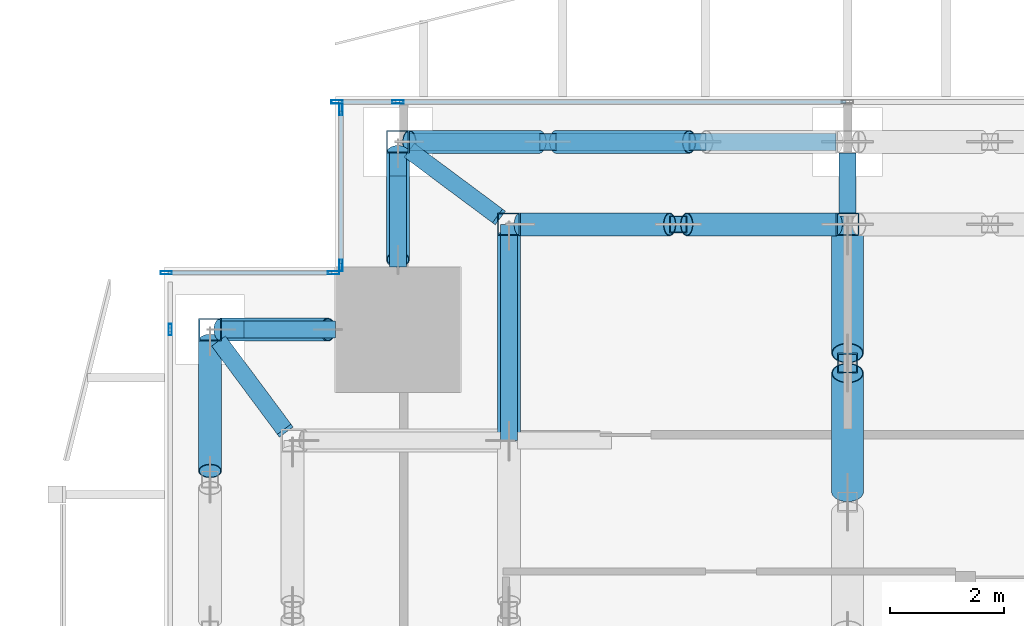
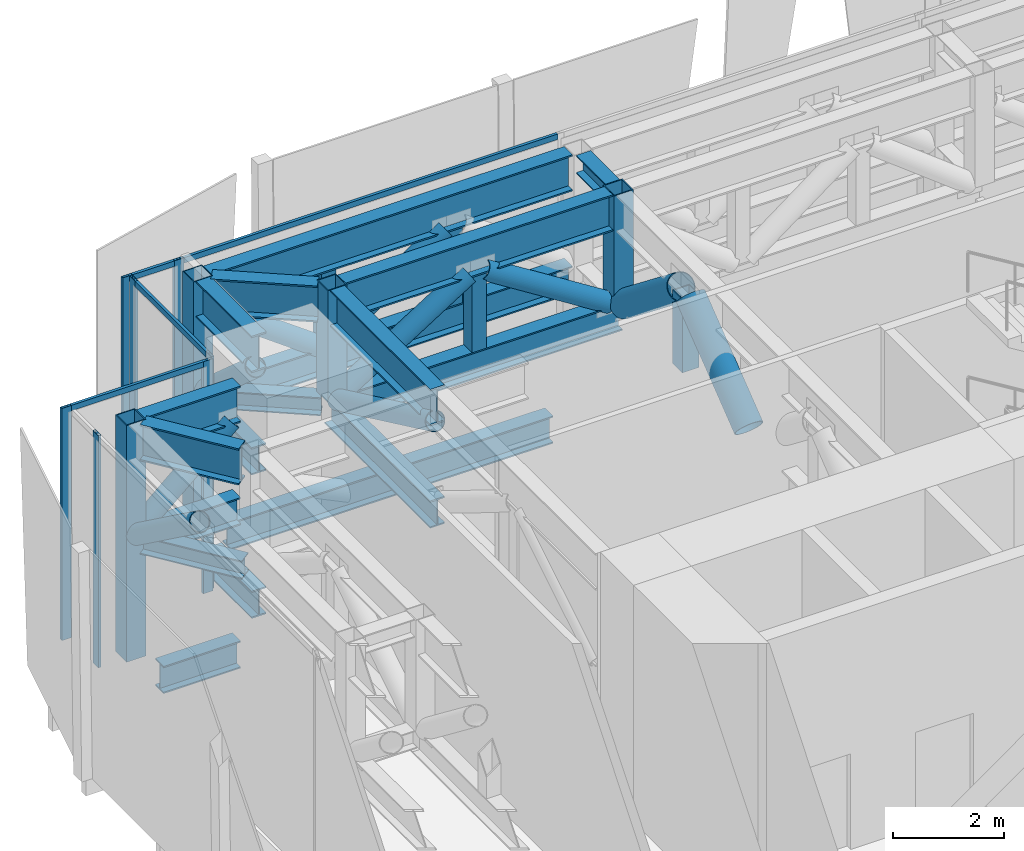
# One storey, part 19 of 39: 39 members, 8 beams, 4 elements without a shape of their own.
"""IFC4 building model written with IfcOpenShell, lengths in metres."""

from ifc_helpers import new_model, si_unit, direction, frame, origin, origin_2d, place, context, subcontext, project, spatial, hollow_rectangle, hollow_circle, i_section, extrude, source, transform, mapped, material, material_profile, profile_set, type_object, element, aggregate, save


model = new_model("IFC4")

# Units and contexts
model_context = context("Model", 3, precision=1e-05, world=origin(), true_north=direction((0.0, 1.0)))
body_context = subcontext(model_context, "Body", "Model", "MODEL_VIEW")
ifc_project = project(units=[si_unit("LENGTHUNIT", "METRE"), si_unit("AREAUNIT", "SQUARE_METRE"), si_unit("VOLUMEUNIT", "CUBIC_METRE"), si_unit("PLANEANGLEUNIT", "RADIAN"), si_unit("MASSUNIT", "GRAM", prefix="KILO")], contexts=[model_context])

# Site, building, storey
site_placement = place(None, origin())
site = spatial("IfcSite", under=ifc_project, at=site_placement, CompositionType="ELEMENT")
building_placement = place(site_placement, origin())
building = spatial("IfcBuilding", under=site, at=building_placement, Name="Khomas Fold Tower", CompositionType="ELEMENT")
storey_placement = place(building_placement, frame((0.0, 0.0, 96.0)))
storey = spatial("IfcBuildingStorey", under=building, at=storey_placement, Name="L20", CompositionType="ELEMENT", Elevation=96.0)

# Beams
ifc_material_1 = material(Name="Steel S355", Category="steel")
ifc_material_profile_1 = material_profile(ifc_material_1, i_section(OverallWidth=0.300048828125, OverallDepth=0.60009765625, WebThickness=0.015380859375, FlangeThickness=0.030029296875, at=origin_2d()), Name="HE 600 B")
ifc_profile_set_1 = profile_set([ifc_material_profile_1], Name="Steel S355")
beam_type_1 = type_object("IfcBeamType", Name="HE 600 B spandrel SB1", PredefinedType="SPANDREL", material=ifc_profile_set_1)
shared_shape_1 = source(origin(), body_context, "Body", "SweptSolid", [
    extrude(i_section(OverallWidth=0.300048828125, OverallDepth=0.60009765625, WebThickness=0.015380859375, FlangeThickness=0.030029296875, at=origin_2d()), origin(), (0.0, 0.0, 1.0), 6.699951171875),
])
beam_1_placement = place(storey_placement, frame((4.699951171875, 53.199951171875, -0.699951171875), z_axis=(1.0, 0.0, 0.0), x_axis=(0.0, 1.0, 0.0)))
element("IfcBeam", 1, at=beam_1_placement, inside=storey, type_object=beam_type_1, Name="SB1", PredefinedType="SPANDREL", context=body_context, shape_type="MappedRepresentation", body=[
    mapped(shared_shape_1, transform((0.0, 0.0, 0.0))),
])
shared_shape_2 = source(origin(), body_context, "Body", "SweptSolid", [
    extrude(i_section(OverallWidth=0.300048828125, OverallDepth=0.60009765625, WebThickness=0.015380859375, FlangeThickness=0.030029296875, at=origin_2d()), origin(), (0.0, 0.0, 1.0), 1.60009765625),
])
for number, where, z_axis, x_axis, name in (
    (2, (4.10009765625, 51.0, -0.699951171875), (0.0, 1.0, 0.0), (-1.0, 0.0, 0.0), "SB1"),
    (3, (1.39990234375, 49.89990234375, -0.699951171875), (1.0, 0.0, 0.0), (0.0, 1.0, 0.0), "SB1"),
):
    element("IfcBeam", number, at=place(storey_placement, frame(where, z_axis=z_axis, x_axis=x_axis)), inside=storey, type_object=beam_type_1, Name=name, PredefinedType="SPANDREL", context=body_context, shape_type="MappedRepresentation", body=[
        mapped(shared_shape_2, transform((0.0, 0.0, 0.0))),
    ])

# Members
ifc_material_2 = material(Name="Steel S460M", Category="steel")
ifc_material_profile_2 = material_profile(ifc_material_2, i_section(OverallWidth=0.300048828125, OverallDepth=0.800048828125, WebThickness=0.017578125, FlangeThickness=0.032958984375, at=origin_2d()), Name="HE 800 B")
ifc_profile_set_2 = profile_set([ifc_material_profile_2], Name="Steel S460M")
member_type_1 = type_object("IfcMemberType", Name="BELT TRUSS 1 TOP CHORD HE 800 B", PredefinedType="CHORD", material=ifc_profile_set_2)
shared_shape_3 = source(origin(), body_context, "Body", "SweptSolid", [
    extrude(i_section(OverallWidth=0.300048828125, OverallDepth=0.800048828125, WebThickness=0.017578125, FlangeThickness=0.032958984375, at=origin_2d()), origin(), (0.0, 0.0, 1.0), 7.5),
])
member_1_placement = place(storey_placement, frame((11.800048828125, 53.199951171875, 4.800048828125), z_axis=(-1.0, 0.0, 0.0), x_axis=(0.0, -1.0, 0.0)))
element("IfcMember", 4, at=member_1_placement, inside=storey, type_object=member_type_1, Name="BT1-CT", PredefinedType="CHORD", context=body_context, shape_type="MappedRepresentation", body=[
    mapped(shared_shape_3, transform((0.0, 0.0, 0.0))),
])
ifc_material_3 = material(Name="Steel S355", Category="steel")
ifc_material_profile_3 = material_profile(ifc_material_3, i_section(OverallWidth=0.300048828125, OverallDepth=0.60009765625, WebThickness=0.015380859375, FlangeThickness=0.030029296875, at=origin_2d()), Name="HE 600 B")
ifc_profile_set_3 = profile_set([ifc_material_profile_3], Name="Steel S355")
member_type_2 = type_object("IfcMemberType", Name="BELT TRUSS 1 BOTTOM CHORD HE 600 B", PredefinedType="CHORD", material=ifc_profile_set_3)
shared_shape_4 = source(origin(), body_context, "Body", "SweptSolid", [
    extrude(i_section(OverallWidth=0.300048828125, OverallDepth=0.60009765625, WebThickness=0.015380859375, FlangeThickness=0.030029296875, at=origin_2d()), origin(), (0.0, 0.0, 1.0), 7.5),
])
member_2_placement = place(storey_placement, frame((11.800048828125, 53.199951171875, 2.449951171875), z_axis=(-1.0, 0.0, 0.0), x_axis=(0.0, -1.0, 0.0)))
element("IfcMember", 5, at=member_2_placement, inside=storey, type_object=member_type_2, Name="BT1-CB", PredefinedType="CHORD", context=body_context, shape_type="MappedRepresentation", body=[
    mapped(shared_shape_4, transform((0.0, 0.0, 0.0))),
])
ifc_material_4 = material(Name="Steel S355", Category="steel")
ifc_material_profile_4 = material_profile(ifc_material_4, hollow_circle(Radius=0.203125, WallThickness=0.01611328125, at=origin_2d()), Name="CHS 406.4x16")
ifc_profile_set_4 = profile_set([ifc_material_profile_4], Name="Steel S355")
member_type_3 = type_object("IfcMemberType", Name="BELT TRUSS 1 DIAGONAL CHS 406.4x16", PredefinedType="BRACE", material=ifc_profile_set_4)
shared_shape_5 = source(origin(), body_context, "Body", "SweptSolid", [
    extrude(hollow_circle(Radius=0.203125, WallThickness=0.01611328125, at=origin_2d()), origin(), (0.0, 0.0, 1.0), 2.82275390625),
])
for number, where, z_axis, x_axis, name in (
    (6, (6.583251953125, 53.199951171875, 2.7451171875), (-0.808837053127, 0.0, 0.588032840485), (0.0, -1.0, 0.0), "BT1-D"),
    (7, (0.800048828125, 49.699951171875, 2.7451171875), (0.0, -0.808837053127, 0.588032840485), (1.0, 0.0, 0.0), "BT1-D"),
):
    element("IfcMember", number, at=place(storey_placement, frame(where, z_axis=z_axis, x_axis=x_axis)), inside=storey, type_object=member_type_3, Name=name, PredefinedType="BRACE", context=body_context, shape_type="MappedRepresentation", body=[
        mapped(shared_shape_5, transform((0.0, 0.0, 0.0))),
    ])
shared_shape_6 = source(origin(), body_context, "Body", "SweptSolid", [
    extrude(hollow_circle(Radius=0.203125, WallThickness=0.01611328125, at=origin_2d()), origin(), (0.0, 0.0, 1.0), 2.863525390625),
])
member_3_placement = place(storey_placement, frame((9.216552734375, 53.199951171875, 4.405029296875), z_axis=(-0.814838084694, 0.0, -0.579688619633), x_axis=(0.0, -1.0, 0.0)))
element("IfcMember", 8, at=member_3_placement, inside=storey, type_object=member_type_3, Name="BT1-D", PredefinedType="BRACE", context=body_context, shape_type="MappedRepresentation", body=[
    mapped(shared_shape_6, transform((0.0, 0.0, 0.0))),
])
ifc_material_5 = material(Name="Steel S355", Category="steel")
ifc_material_profile_5 = material_profile(ifc_material_5, hollow_rectangle(XDim=0.300048828125, YDim=0.300048828125, WallThickness=0.01611328125, at=origin_2d()), Name="SHS 300x300x16")
ifc_profile_set_5 = profile_set([ifc_material_profile_5], Name="Steel S355")
member_type_4 = type_object("IfcMemberType", Name="BELT TRUSS 1 MID POST SHS 300x300x16", PredefinedType="POST", material=ifc_profile_set_5)
shared_shape_7 = source(origin(), body_context, "Body", "SweptSolid", [
    extrude(hollow_rectangle(XDim=0.300048828125, YDim=0.300048828125, WallThickness=0.01611328125, at=origin_2d()), origin(), (0.0, 0.0, 1.0), 1.64990234375),
])
for number, where, z_axis, x_axis, name in (
    (9, (9.36669921875, 53.199951171875, 2.75), (0.0, 0.0, 1.0), (1.0, 0.0, 0.0), "BT1-M"),
    (10, (6.7333984375, 53.199951171875, 2.75), (0.0, 0.0, 1.0), (1.0, 0.0, 0.0), "BT1-M"),
    (11, (9.02490234375, 51.75, 2.75), (0.0, 0.0, 1.0), (1.0, 0.0, 0.0), "BT1-M"),
):
    element("IfcMember", number, at=place(storey_placement, frame(where, z_axis=z_axis, x_axis=x_axis)), inside=storey, type_object=member_type_4, Name=name, PredefinedType="POST", context=body_context, shape_type="MappedRepresentation", body=[
        mapped(shared_shape_7, transform((0.0, 0.0, 0.0))),
    ])
ifc_material_6 = material(Name="Steel S460M", Category="steel")
ifc_material_profile_6 = material_profile(ifc_material_6, i_section(OverallWidth=0.300048828125, OverallDepth=0.800048828125, WebThickness=0.017578125, FlangeThickness=0.032958984375, at=origin_2d()), Name="HE 800 B")
ifc_profile_set_6 = profile_set([ifc_material_profile_6], Name="Steel S460M")
member_type_5 = type_object("IfcMemberType", Name="BELT TRUSS 1 TOP CHORD SHORTER HE 800 B", PredefinedType="CHORD", material=ifc_profile_set_6)
shared_shape_8 = source(origin(), body_context, "Body", "SweptSolid", [
    extrude(i_section(OverallWidth=0.300048828125, OverallDepth=0.800048828125, WebThickness=0.017578125, FlangeThickness=0.032958984375, at=origin_2d()), origin(), (0.0, 0.0, 1.0), 2.0),
])
for number, where, z_axis, x_axis, name in (
    (12, (4.10009765625, 53.0, 4.800048828125), (0.0, -1.0, 0.0), (1.0, 0.0, 0.0), "BT1-CTSS"),
    (13, (1.0, 49.89990234375, 4.800048828125), (1.0, 0.0, 0.0), (0.0, 1.0, 0.0), "BT1-CTSS"),
):
    element("IfcMember", number, at=place(storey_placement, frame(where, z_axis=z_axis, x_axis=x_axis)), inside=storey, type_object=member_type_5, Name=name, PredefinedType="CHORD", context=body_context, shape_type="MappedRepresentation", body=[
        mapped(shared_shape_8, transform((0.0, 0.0, 0.0))),
    ])
ifc_material_7 = material(Name="Steel S355", Category="steel")
ifc_material_profile_7 = material_profile(ifc_material_7, i_section(OverallWidth=0.300048828125, OverallDepth=0.60009765625, WebThickness=0.015380859375, FlangeThickness=0.030029296875, at=origin_2d()), Name="HE 600 B")
ifc_profile_set_7 = profile_set([ifc_material_profile_7], Name="Steel S355")
member_type_6 = type_object("IfcMemberType", Name="BELT TRUSS 1 BOTTOM CHORD SHORTER HE 600 B", PredefinedType="CHORD", material=ifc_profile_set_7)
shared_shape_9 = source(origin(), body_context, "Body", "SweptSolid", [
    extrude(i_section(OverallWidth=0.300048828125, OverallDepth=0.60009765625, WebThickness=0.015380859375, FlangeThickness=0.030029296875, at=origin_2d()), origin(), (0.0, 0.0, 1.0), 2.0),
])
for number, where, z_axis, x_axis, name in (
    (14, (4.10009765625, 53.0, 2.449951171875), (0.0, -1.0, 0.0), (1.0, 0.0, 0.0), "BT1-CBSS"),
    (15, (1.0, 49.89990234375, 2.449951171875), (1.0, 0.0, 0.0), (0.0, 1.0, 0.0), "BT1-CBSS"),
):
    element("IfcMember", number, at=place(storey_placement, frame(where, z_axis=z_axis, x_axis=x_axis)), inside=storey, type_object=member_type_6, Name=name, PredefinedType="CHORD", context=body_context, shape_type="MappedRepresentation", body=[
        mapped(shared_shape_9, transform((0.0, 0.0, 0.0))),
    ])
shared_shape_10 = source(origin(), body_context, "Body", "SweptSolid", [
    extrude(hollow_circle(Radius=0.203125, WallThickness=0.01611328125, at=origin_2d()), origin(), (0.0, 0.0, 1.0), 2.5009765625),
])
for number, where, z_axis, x_axis, name in (
    (16, (4.10009765625, 53.0, 2.7451171875), (0.0, -0.74797457832, 0.663727376403), (1.0, 0.0, 0.0), "BT1-D"),
    (17, (1.0, 49.89990234375, 2.7451171875), (0.74797457832, 0.0, 0.663727376403), (0.0, 1.0, 0.0), "BT1-D"),
):
    element("IfcMember", number, at=place(storey_placement, frame(where, z_axis=z_axis, x_axis=x_axis)), inside=storey, type_object=member_type_3, Name=name, PredefinedType="BRACE", context=body_context, shape_type="MappedRepresentation", body=[
        mapped(shared_shape_10, transform((0.0, 0.0, 0.0))),
    ])
shared_shape_11 = source(origin(), body_context, "Body", "SweptSolid", [
    extrude(i_section(OverallWidth=0.300048828125, OverallDepth=0.800048828125, WebThickness=0.017578125, FlangeThickness=0.032958984375, at=origin_2d()), origin(), (0.0, 0.0, 1.0), 5.550048828125),
])
member_4_placement = place(storey_placement, frame((11.800048828125, 51.75, 4.800048828125), z_axis=(-1.0, 0.0, 0.0), x_axis=(0.0, -1.0, 0.0)))
element("IfcMember", 18, at=member_4_placement, inside=storey, type_object=member_type_1, Name="BT1-CT", PredefinedType="CHORD", context=body_context, shape_type="MappedRepresentation", body=[
    mapped(shared_shape_11, transform((0.0, 0.0, 0.0))),
])
shared_shape_12 = source(origin(), body_context, "Body", "SweptSolid", [
    extrude(i_section(OverallWidth=0.300048828125, OverallDepth=0.60009765625, WebThickness=0.015380859375, FlangeThickness=0.030029296875, at=origin_2d()), origin(), (0.0, 0.0, 1.0), 5.800048828125),
])
member_5_placement = place(storey_placement, frame((12.0, 51.75, 2.449951171875), z_axis=(-1.0, 0.0, 0.0), x_axis=(0.0, -1.0, 0.0)))
element("IfcMember", 19, at=member_5_placement, inside=storey, type_object=member_type_2, Name="BT1-CB", PredefinedType="CHORD", context=body_context, shape_type="MappedRepresentation", body=[
    mapped(shared_shape_12, transform((0.0, 0.0, 0.0))),
])
shared_shape_13 = source(origin(), body_context, "Body", "SweptSolid", [
    extrude(hollow_circle(Radius=0.203125, WallThickness=0.01611328125, at=origin_2d()), origin(), (0.0, 0.0, 1.0), 3.105712890625),
])
for number, where, z_axis, x_axis, name in (
    (20, (11.800048828125, 51.75, 2.7451171875), (-0.84519551241, 0.0, 0.534457244129), (0.0, -1.0, 0.0), "BT1-D"),
    (21, (8.875, 51.75, 4.405029296875), (-0.84519551241, 0.0, -0.534457244129), (0.0, -1.0, 0.0), "BT1-D"),
):
    element("IfcMember", number, at=place(storey_placement, frame(where, z_axis=z_axis, x_axis=x_axis)), inside=storey, type_object=member_type_3, Name=name, PredefinedType="BRACE", context=body_context, shape_type="MappedRepresentation", body=[
        mapped(shared_shape_13, transform((0.0, 0.0, 0.0))),
    ])
ifc_material_8 = material(Name="Steel S460M", Category="steel")
ifc_material_profile_8 = material_profile(ifc_material_8, i_section(OverallWidth=0.300048828125, OverallDepth=0.800048828125, WebThickness=0.017578125, FlangeThickness=0.032958984375, at=origin_2d()), Name="HE 800 B")
ifc_profile_set_8 = profile_set([ifc_material_profile_8], Name="Steel S460M")
member_type_7 = type_object("IfcMemberType", Name="BELT TRUSS 1 TOP CHORD SHORT HE 800 B", PredefinedType="CHORD", material=ifc_profile_set_8)
shared_shape_14 = source(origin(), body_context, "Body", "SweptSolid", [
    extrude(i_section(OverallWidth=0.300048828125, OverallDepth=0.800048828125, WebThickness=0.017578125, FlangeThickness=0.032958984375, at=origin_2d()), origin(), (0.0, 0.0, 1.0), 3.60009765625),
])
member_6_placement = place(storey_placement, frame((6.050048828125, 51.550048828125, 4.800048828125), z_axis=(0.0, -1.0, 0.0), x_axis=(1.0, 0.0, 0.0)))
element("IfcMember", 22, at=member_6_placement, inside=storey, type_object=member_type_7, Name="BT1-CTS", PredefinedType="CHORD", context=body_context, shape_type="MappedRepresentation", body=[
    mapped(shared_shape_14, transform((0.0, 0.0, 0.0))),
])
ifc_material_9 = material(Name="Steel S355", Category="steel")
ifc_material_profile_9 = material_profile(ifc_material_9, i_section(OverallWidth=0.300048828125, OverallDepth=0.60009765625, WebThickness=0.015380859375, FlangeThickness=0.030029296875, at=origin_2d()), Name="HE 600 B")
ifc_profile_set_9 = profile_set([ifc_material_profile_9], Name="Steel S355")
member_type_8 = type_object("IfcMemberType", Name="BELT TRUSS 1 BOTTOM CHORD SHORT HE 600 B", PredefinedType="CHORD", material=ifc_profile_set_9)
shared_shape_15 = source(origin(), body_context, "Body", "SweptSolid", [
    extrude(i_section(OverallWidth=0.300048828125, OverallDepth=0.60009765625, WebThickness=0.015380859375, FlangeThickness=0.030029296875, at=origin_2d()), origin(), (0.0, 0.0, 1.0), 3.800048828125),
])
member_7_placement = place(storey_placement, frame((6.050048828125, 51.75, 2.449951171875), z_axis=(0.0, -1.0, 0.0), x_axis=(1.0, 0.0, 0.0)))
element("IfcMember", 23, at=member_7_placement, inside=storey, type_object=member_type_8, Name="BT1-CBS", PredefinedType="CHORD", context=body_context, shape_type="MappedRepresentation", body=[
    mapped(shared_shape_15, transform((0.0, 0.0, 0.0))),
])
ifc_material_10 = material(Name="Steel S355", Category="steel")
ifc_material_profile_10 = material_profile(ifc_material_10, hollow_circle(Radius=0.203125, WallThickness=0.01611328125, at=origin_2d()), Name="CHS 406.4x16")
ifc_profile_set_10 = profile_set([ifc_material_profile_10], Name="Steel S355")
member_type_9 = type_object("IfcMemberType", Name="BELT TRUSS 1 DIAGONAL LONG CHS 406.4x16", PredefinedType="BRACE", material=ifc_profile_set_10)
shared_shape_16 = source(origin(), body_context, "Body", "SweptSolid", [
    extrude(hollow_circle(Radius=0.203125, WallThickness=0.01611328125, at=origin_2d()), origin(), (0.0, 0.0, 1.0), 3.887451171875),
])
member_8_placement = place(storey_placement, frame((6.050048828125, 51.550048828125, 2.7451171875), z_axis=(0.0, -0.904261444129, 0.426979204016), x_axis=(1.0, 0.0, 0.0)))
element("IfcMember", 24, at=member_8_placement, inside=storey, type_object=member_type_9, Name="BT1-DL", PredefinedType="BRACE", context=body_context, shape_type="MappedRepresentation", body=[
    mapped(shared_shape_16, transform((0.0, 0.0, 0.0))),
])
ifc_material_11 = material(Name="Steel S460M", Category="steel")
ifc_material_profile_11 = material_profile(ifc_material_11, hollow_rectangle(XDim=0.39990234375, YDim=0.39990234375, WallThickness=0.02001953125, at=origin_2d()), Name="SHS 400x400x20")
ifc_profile_set_11 = profile_set([ifc_material_profile_11], Name="Steel S460M")
member_type_10 = type_object("IfcMemberType", Name="BELT TRUSS 1 COLUMN POST LONG SHS 400x400x20", PredefinedType="POST", material=ifc_profile_set_11)
shared_shape_17 = source(origin(), body_context, "Body", "SweptSolid", [
    extrude(hollow_rectangle(XDim=0.39990234375, YDim=0.39990234375, WallThickness=0.02001953125, at=origin_2d()), origin(), (0.0, 0.0, 1.0), 5.199951171875),
])
for number, where, z_axis, x_axis, name in (
    (25, (4.10009765625, 53.199951171875, 0.0), (0.0, 0.0, 1.0), (1.0, 0.0, 0.0), "BT1-PL"),
    (26, (0.800048828125, 49.89990234375, 0.0), (0.0, 0.0, 1.0), (1.0, 0.0, 0.0), "BT1-PL"),
):
    element("IfcMember", number, at=place(storey_placement, frame(where, z_axis=z_axis, x_axis=x_axis)), inside=storey, type_object=member_type_10, Name=name, PredefinedType="POST", context=body_context, shape_type="MappedRepresentation", body=[
        mapped(shared_shape_17, transform((0.0, 0.0, 0.0))),
    ])
ifc_material_12 = material(Name="Steel S460M", Category="steel")
ifc_material_profile_12 = material_profile(ifc_material_12, hollow_rectangle(XDim=0.39990234375, YDim=0.39990234375, WallThickness=0.02001953125, at=origin_2d()), Name="SHS 400x400x20")
ifc_profile_set_12 = profile_set([ifc_material_profile_12], Name="Steel S460M")
member_type_11 = type_object("IfcMemberType", Name="BELT TRUSS 1 COLUMN POST SHS 400x400x20", PredefinedType="POST", material=ifc_profile_set_12)
shared_shape_18 = source(origin(), body_context, "Body", "SweptSolid", [
    extrude(hollow_rectangle(XDim=0.39990234375, YDim=0.39990234375, WallThickness=0.02001953125, at=origin_2d()), origin(), (0.0, 0.0, 1.0), 2.449951171875),
])
for number, where, z_axis, x_axis, name in (
    (27, (12.0, 51.75, 2.75), (0.0, 0.0, 1.0), (1.0, 0.0, 0.0), "BT1-P"),
    (28, (6.050048828125, 51.75, 2.75), (0.0, 0.0, 1.0), (1.0, 0.0, 0.0), "BT1-P"),
):
    element("IfcMember", number, at=place(storey_placement, frame(where, z_axis=z_axis, x_axis=x_axis)), inside=storey, type_object=member_type_11, Name=name, PredefinedType="POST", context=body_context, shape_type="MappedRepresentation", body=[
        mapped(shared_shape_18, transform((0.0, 0.0, 0.0))),
    ])

# Beams
ifc_material_13 = material(Name="Steel S460M", Category="steel")
ifc_material_profile_13 = material_profile(ifc_material_13, i_section(OverallWidth=0.300048828125, OverallDepth=0.800048828125, WebThickness=0.017578125, FlangeThickness=0.032958984375, at=origin_2d()), Name="HE 800 B")
ifc_profile_set_13 = profile_set([ifc_material_profile_13], Name="Steel S460M")
beam_type_2 = type_object("IfcBeamType", Name="BELT TRUSS 1 TOP TRANSFER STRUT HE 800 B", PredefinedType="BEAM", material=ifc_profile_set_13)
shared_shape_19 = source(origin(), body_context, "Body", "SweptSolid", [
    extrude(i_section(OverallWidth=0.300048828125, OverallDepth=0.800048828125, WebThickness=0.017578125, FlangeThickness=0.032958984375, at=origin_2d()), origin(), (0.0, 0.0, 1.0), 1.931640625),
])
for number, where, z_axis, x_axis, name in (
    (29, (5.85009765625, 51.898681640625, 4.800048828125), (-0.802465444559, 0.596698592497, 0.0), (-0.596698592497, -0.802465444559, 0.0), "BT1-STD"),
    (30, (2.101318359375, 48.14990234375, 4.800048828125), (-0.596698592497, 0.802465444559, 0.0), (-0.802465444559, -0.596698592497, 0.0), "BT1-STD"),
):
    element("IfcBeam", number, at=place(storey_placement, frame(where, z_axis=z_axis, x_axis=x_axis)), inside=storey, type_object=beam_type_2, Name=name, PredefinedType="BEAM", context=body_context, shape_type="MappedRepresentation", body=[
        mapped(shared_shape_19, transform((0.0, 0.0, 0.0))),
    ])
ifc_material_14 = material(Name="Steel S355", Category="steel")
ifc_material_profile_14 = material_profile(ifc_material_14, i_section(OverallWidth=0.300048828125, OverallDepth=0.39990234375, WebThickness=0.013427734375, FlangeThickness=0.02392578125, at=origin_2d()), Name="HE 400 B")
ifc_profile_set_14 = profile_set([ifc_material_profile_14], Name="Steel S355")
beam_type_3 = type_object("IfcBeamType", Name="BELT TRUSS 1 BOTTOM STRUT LONG HE 400 B", PredefinedType="BEAM", material=ifc_profile_set_14)
shared_shape_20 = source(origin(), body_context, "Body", "SweptSolid", [
    extrude(i_section(OverallWidth=0.300048828125, OverallDepth=0.39990234375, WebThickness=0.013427734375, FlangeThickness=0.02392578125, at=origin_2d()), origin(), (0.0, 0.0, 1.0), 1.99365234375),
])
for number, where, z_axis, x_axis, name in (
    (31, (5.89990234375, 51.861572265625, 2.550048828125), (-0.802447306002, 0.59672298522, 0.0), (-0.59672298522, -0.802447306002, 0.0), "BT1-SBL"),
    (32, (2.138427734375, 48.10009765625, 2.550048828125), (-0.59672298522, 0.802447306002, 0.0), (-0.802447306002, -0.59672298522, 0.0), "BT1-SBL"),
):
    element("IfcBeam", number, at=place(storey_placement, frame(where, z_axis=z_axis, x_axis=x_axis)), inside=storey, type_object=beam_type_3, Name=name, PredefinedType="BEAM", context=body_context, shape_type="MappedRepresentation", body=[
        mapped(shared_shape_20, transform((0.0, 0.0, 0.0))),
    ])
ifc_material_15 = material(Name="Steel S355", Category="steel")
ifc_material_profile_15 = material_profile(ifc_material_15, i_section(OverallWidth=0.300048828125, OverallDepth=0.39990234375, WebThickness=0.013427734375, FlangeThickness=0.02392578125, at=origin_2d()), Name="HE 400 B")
ifc_profile_set_15 = profile_set([ifc_material_profile_15], Name="Steel S355")
beam_type_4 = type_object("IfcBeamType", Name="BELT TRUSS 1 TOP STRUT HE 400 B", PredefinedType="BEAM", material=ifc_profile_set_15)
shared_shape_21 = source(origin(), body_context, "Body", "SweptSolid", [
    extrude(i_section(OverallWidth=0.300048828125, OverallDepth=0.39990234375, WebThickness=0.013427734375, FlangeThickness=0.02392578125, at=origin_2d()), origin(), (0.0, 0.0, 1.0), 1.050048828125),
])
beam_2_placement = place(storey_placement, frame((12.0, 51.949951171875, 5.0), z_axis=(0.0, 1.0, 0.0), x_axis=(-1.0, 0.0, 0.0)))
element("IfcBeam", 33, at=beam_2_placement, inside=storey, type_object=beam_type_4, Name="BT1-ST", PredefinedType="BEAM", context=body_context, shape_type="MappedRepresentation", body=[
    mapped(shared_shape_21, transform((0.0, 0.0, 0.0))),
])

# Members
ifc_material_16 = material(Name="Steel S355", Category="steel")
ifc_material_profile_16 = material_profile(ifc_material_16, hollow_rectangle(XDim=0.35009765625, YDim=0.35009765625, WallThickness=0.02001953125, at=origin_2d()), Name="SHS 350x350x20")
ifc_profile_set_16 = profile_set([ifc_material_profile_16], Name="Steel S355")
member_type_12 = type_object("IfcMemberType", Name="OUTRIGGER 1 MID POST SHS 350x350x20", PredefinedType="POST", material=ifc_profile_set_16)
shared_shape_22 = source(origin(), body_context, "Body", "SweptSolid", [
    extrude(hollow_rectangle(XDim=0.35009765625, YDim=0.35009765625, WallThickness=0.02001953125, at=origin_2d()), origin(), (0.0, 0.0, 1.0), 1.615966796875),
])
member_9_placement = place(storey_placement, frame((12.0, 49.3125, 2.77001953125), z_axis=(0.0, 0.0, 1.0), x_axis=(1.0, 0.0, 0.0)))
element("IfcMember", 34, at=member_9_placement, inside=storey, type_object=member_type_12, Name="OR1-M", PredefinedType="POST", context=body_context, shape_type="MappedRepresentation", body=[
    mapped(shared_shape_22, transform((0.0, 0.0, 0.0))),
])
ifc_material_17 = material(Name="Steel S355", Category="steel")
ifc_material_profile_17 = material_profile(ifc_material_17, hollow_circle(Radius=0.279541015625, WallThickness=0.01611328125, at=origin_2d()), Name="CHS 559x16")
ifc_profile_set_17 = profile_set([ifc_material_profile_17], Name="Steel S355")
member_type_13 = type_object("IfcMemberType", Name="OUTRIGGER 1 DIAGONAL CHS 559x16", PredefinedType="BRACE", material=ifc_profile_set_17)
shared_shape_23 = source(origin(), body_context, "Body", "SweptSolid", [
    extrude(hollow_circle(Radius=0.279541015625, WallThickness=0.01611328125, at=origin_2d()), origin(), (0.0, 0.0, 1.0), 2.64599609375),
])
member_10_placement = place(storey_placement, frame((12.0, 47.050048828125, 2.764892578125), z_axis=(0.0, 0.788860124161, 0.614572782109), x_axis=(-1.0, 0.0, 0.0)))
element("IfcMember", 35, at=member_10_placement, inside=storey, type_object=member_type_13, Name="OR1-D", PredefinedType="BRACE", context=body_context, shape_type="MappedRepresentation", body=[
    mapped(shared_shape_23, transform((0.0, 0.0, 0.0))),
])
shared_shape_24 = source(origin(), body_context, "Body", "SweptSolid", [
    extrude(hollow_circle(Radius=0.279541015625, WallThickness=0.01611328125, at=origin_2d()), origin(), (0.0, 0.0, 1.0), 2.62646484375),
])
member_11_placement = place(storey_placement, frame((12.0, 49.487548828125, 4.39111328125), z_axis=(0.0, 0.785265689158, -0.619158943594), x_axis=(-1.0, 0.0, 0.0)))
element("IfcMember", 36, at=member_11_placement, inside=storey, type_object=member_type_13, Name="OR1-D", PredefinedType="BRACE", context=body_context, shape_type="MappedRepresentation", body=[
    mapped(shared_shape_24, transform((0.0, 0.0, 0.0))),
])

# Curtain wall, members
ifc_material_18 = material(Name="Aluminium framed double glazing", Category="aluminium")
curtain_wall_type = type_object("IfcCurtainWallType", Name="SK-Plant louvre wall CW4", PredefinedType="NOTDEFINED", material=ifc_material_18)
curtain_wall_1_placement = place(storey_placement, origin())
curtain_wall_1 = element("IfcCurtainWall", 37, at=curtain_wall_1_placement, inside=storey, type_object=curtain_wall_type, Name="CW4 run L20 06-0", PredefinedType="NOTDEFINED")
ifc_material_19 = material(Name="Aluminium", Category="aluminium")
ifc_material_profile_18 = material_profile(ifc_material_19, hollow_rectangle(XDim=0.06005859375, YDim=0.199951171875, WallThickness=0.00390625, at=origin_2d()), Name="SK-Plant louvre wall mullion CW4-M")
ifc_profile_set_18 = profile_set([ifc_material_profile_18], Name="Aluminium")
member_type_14 = type_object("IfcMemberType", Name="SK-Plant louvre wall mullion CW4-M", PredefinedType="MULLION", material=ifc_profile_set_18)
shared_shape_25 = source(origin(), body_context, "Body", "SweptSolid", [
    extrude(hollow_rectangle(XDim=0.06005859375, YDim=0.199951171875, WallThickness=0.00390625, at=origin_2d()), origin(), (0.0, 0.0, 1.0), 5.10009765625),
])
member_12_placement = place(storey_placement, frame((4.10009765625, 53.89990234375, 0.0), z_axis=(0.0, 0.0, 1.0), x_axis=(0.0, -1.0, 0.0)))
member_12 = element("IfcMember", 38, at=member_12_placement, type_object=member_type_14, Name="CW4 mullion 8", PredefinedType="MULLION", context=body_context, shape_type="MappedRepresentation", body=[
    mapped(shared_shape_25, transform((0.0, 0.0, 0.0))),
])
member_13_placement = place(storey_placement, frame((3.030029296875, 53.89990234375, 0.0), z_axis=(0.0, 0.0, 1.0), x_axis=(0.0, -1.0, 0.0)))
member_13 = element("IfcMember", 39, at=member_13_placement, type_object=member_type_14, Name="CW4 mullion 9", PredefinedType="MULLION", context=body_context, shape_type="MappedRepresentation", body=[
    mapped(shared_shape_25, transform((0.0, 0.0, 0.0))),
])

curtain_wall_2_placement = place(storey_placement, origin())
curtain_wall_2 = element("IfcCurtainWall", 40, at=curtain_wall_2_placement, inside=storey, type_object=curtain_wall_type, Name="CW4 corner return L20 07", PredefinedType="NOTDEFINED")
member_14_placement = place(storey_placement, frame((3.10009765625, 53.77001953125, 0.0), z_axis=(0.0, 0.0, 1.0), x_axis=(1.0, 0.0, 0.0)))
member_14 = element("IfcMember", 41, at=member_14_placement, type_object=member_type_14, Name="CW4 mullion 1", PredefinedType="MULLION", context=body_context, shape_type="MappedRepresentation", body=[
    mapped(shared_shape_25, transform((0.0, 0.0, 0.0))),
])
member_15_placement = place(storey_placement, frame((3.10009765625, 51.030029296875, 0.0), z_axis=(0.0, 0.0, 1.0), x_axis=(1.0, 0.0, 0.0)))
member_15 = element("IfcMember", 42, at=member_15_placement, type_object=member_type_14, Name="CW4 mullion 2", PredefinedType="MULLION", context=body_context, shape_type="MappedRepresentation", body=[
    mapped(shared_shape_25, transform((0.0, 0.0, 0.0))),
])

curtain_wall_3_placement = place(storey_placement, origin())
curtain_wall_3 = element("IfcCurtainWall", 43, at=curtain_wall_3_placement, inside=storey, type_object=curtain_wall_type, Name="CW4 corner return L20 08", PredefinedType="NOTDEFINED")
member_16_placement = place(storey_placement, frame((2.969970703125, 50.89990234375, 0.0), z_axis=(0.0, 0.0, 1.0), x_axis=(0.0, -1.0, 0.0)))
member_16 = element("IfcMember", 44, at=member_16_placement, type_object=member_type_14, Name="CW4 mullion 1", PredefinedType="MULLION", context=body_context, shape_type="MappedRepresentation", body=[
    mapped(shared_shape_25, transform((0.0, 0.0, 0.0))),
])
member_17_placement = place(storey_placement, frame((0.030029296875, 50.89990234375, 0.0), z_axis=(0.0, 0.0, 1.0), x_axis=(0.0, -1.0, 0.0)))
member_17 = element("IfcMember", 45, at=member_17_placement, type_object=member_type_14, Name="CW4 mullion 2", PredefinedType="MULLION", context=body_context, shape_type="MappedRepresentation", body=[
    mapped(shared_shape_25, transform((0.0, 0.0, 0.0))),
])

# Curtain wall, member
curtain_wall_4_placement = place(storey_placement, origin())
curtain_wall_4 = element("IfcCurtainWall", 46, at=curtain_wall_4_placement, inside=storey, type_object=curtain_wall_type, Name="CW4 run L20 09-0", PredefinedType="NOTDEFINED")
member_18_placement = place(storey_placement, frame((0.10009765625, 49.89990234375, 0.0), z_axis=(0.0, 0.0, 1.0), x_axis=(1.0, 0.0, 0.0)))
member_18 = element("IfcMember", 47, at=member_18_placement, type_object=member_type_14, Name="CW4 mullion 2", PredefinedType="MULLION", context=body_context, shape_type="MappedRepresentation", body=[
    mapped(shared_shape_25, transform((0.0, 0.0, 0.0))),
])
aggregate(curtain_wall_4, [member_18])

# Member
ifc_material_20 = material(Name="Aluminium", Category="aluminium")
ifc_material_profile_19 = material_profile(ifc_material_20, hollow_rectangle(XDim=0.06005859375, YDim=0.1201171875, WallThickness=0.00390625, at=origin_2d()), Name="SK-Plant louvre wall transom CW4-T")
ifc_profile_set_19 = profile_set([ifc_material_profile_19], Name="Aluminium")
member_type_15 = type_object("IfcMemberType", Name="SK-Plant louvre wall transom CW4-T", PredefinedType="USERDEFINED", material=ifc_profile_set_19)
shared_shape_26 = source(origin(), body_context, "Body", "SweptSolid", [
    extrude(hollow_rectangle(XDim=0.06005859375, YDim=0.1201171875, WallThickness=0.00390625, at=origin_2d()), origin(), (0.0, 0.0, 1.0), 7.840087890625),
])
member_19_placement = place(storey_placement, frame((11.969970703125, 53.89990234375, 5.0400390625), z_axis=(-1.0, 0.0, 0.0), x_axis=(0.0, -1.0, 0.0)))
member_19 = element("IfcMember", 48, at=member_19_placement, type_object=member_type_15, Name="CW4 transom 7", ObjectType="TRANSOM", PredefinedType="USERDEFINED", context=body_context, shape_type="MappedRepresentation", body=[
    mapped(shared_shape_26, transform((0.0, 0.0, 0.0))),
])

shared_shape_27 = source(origin(), body_context, "Body", "SweptSolid", [
    extrude(hollow_rectangle(XDim=0.06005859375, YDim=0.1201171875, WallThickness=0.00390625, at=origin_2d()), origin(), (0.0, 0.0, 1.0), 1.010009765625),
])
member_20_placement = place(storey_placement, frame((4.070068359375, 53.89990234375, 5.0400390625), z_axis=(-1.0, 0.0, 0.0), x_axis=(0.0, -1.0, 0.0)))
member_20 = element("IfcMember", 49, at=member_20_placement, type_object=member_type_15, Name="CW4 transom 8", ObjectType="TRANSOM", PredefinedType="USERDEFINED", context=body_context, shape_type="MappedRepresentation", body=[
    mapped(shared_shape_27, transform((0.0, 0.0, 0.0))),
])

aggregate(curtain_wall_1, [member_12, member_13, member_19, member_20])

shared_shape_28 = source(origin(), body_context, "Body", "SweptSolid", [
    extrude(hollow_rectangle(XDim=0.06005859375, YDim=0.1201171875, WallThickness=0.00390625, at=origin_2d()), origin(), (0.0, 0.0, 1.0), 2.679931640625),
])
member_21_placement = place(storey_placement, frame((3.10009765625, 53.739990234375, 5.0400390625), z_axis=(0.0, -1.0, 0.0), x_axis=(1.0, 0.0, 0.0)))
member_21 = element("IfcMember", 50, at=member_21_placement, type_object=member_type_15, Name="CW4 transom 1", ObjectType="TRANSOM", PredefinedType="USERDEFINED", context=body_context, shape_type="MappedRepresentation", body=[
    mapped(shared_shape_28, transform((0.0, 0.0, 0.0))),
])

aggregate(curtain_wall_2, [member_14, member_15, member_21])

shared_shape_29 = source(origin(), body_context, "Body", "SweptSolid", [
    extrude(hollow_rectangle(XDim=0.06005859375, YDim=0.1201171875, WallThickness=0.00390625, at=origin_2d()), origin(), (0.0, 0.0, 1.0), 2.8798828125),
])
member_22_placement = place(storey_placement, frame((2.93994140625, 50.89990234375, 5.0400390625), z_axis=(-1.0, 0.0, 0.0), x_axis=(0.0, -1.0, 0.0)))
member_22 = element("IfcMember", 51, at=member_22_placement, type_object=member_type_15, Name="CW4 transom 1", ObjectType="TRANSOM", PredefinedType="USERDEFINED", context=body_context, shape_type="MappedRepresentation", body=[
    mapped(shared_shape_29, transform((0.0, 0.0, 0.0))),
])

aggregate(curtain_wall_3, [member_16, member_17, member_22])

save(model, "model.ifc")
